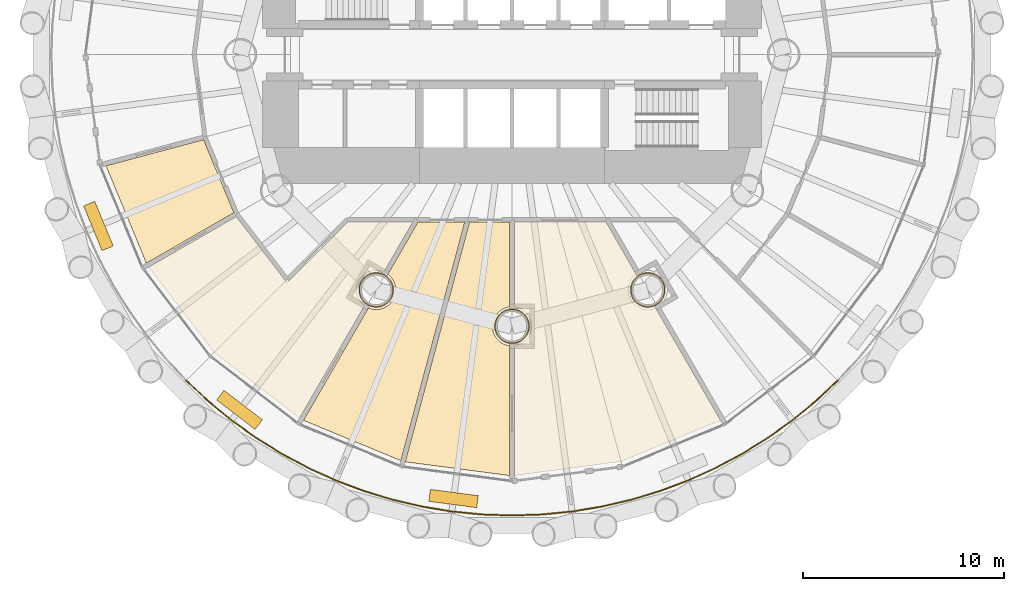
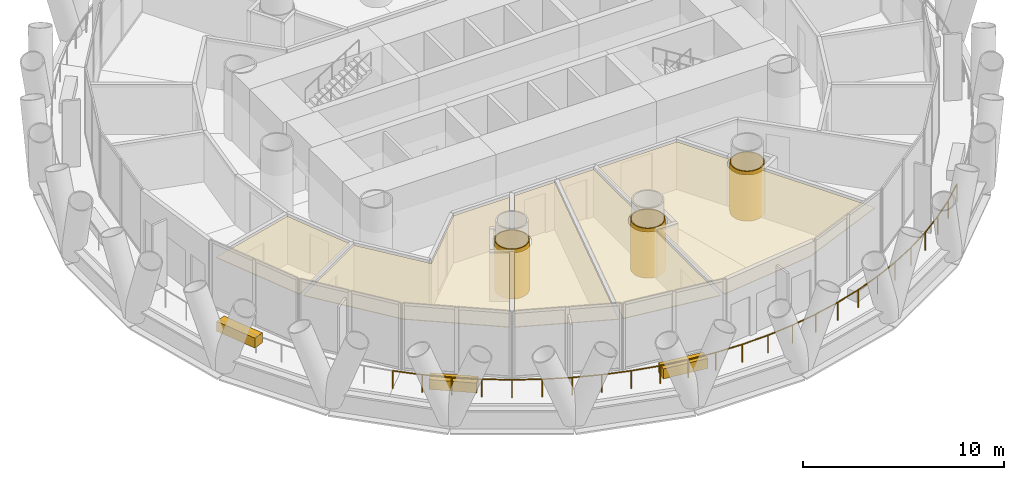
# One storey, part 12 of 15: 11 coverings, 1 railing.
"""IFC4 building model written with IfcOpenShell, lengths in metres."""

import ifcopenshell
import ifcopenshell.guid

model = None  # the IFC model being written
_history = None  # IfcOwnerHistory: only IFC2X3 demands one
_inside = {}  # id of a spatial element -> (the spatial element, [elements in it])
_under = {}  # id of a project, library or spatial element -> (it, [spatial elements below it])
_declared = {}  # id of a project -> (the project, [libraries it declares])
_typed = {}  # id of a type object -> (the type object, [elements of that type])
_made_of = {}  # id of a material, layer set ... -> (it, [elements and type objects made of it])


def new_model(schema):
    """Start an empty IFC model of exactly this schema.

    Asked for "IFC4X3", IfcOpenShell would pick the latest addendum, in which some entities
    have other attributes; the version numbers below select the first issue.
    IFC2X3 requires an IfcOwnerHistory on every rooted entity: one is made here for all.
    """
    global model, _history
    if schema == "IFC4X3":
        model = ifcopenshell.file(schema_version=(4, 3, 0, 0))
    else:
        model = ifcopenshell.file(schema=schema)
    _inside.clear()
    _under.clear()
    _declared.clear()
    _typed.clear()
    _made_of.clear()
    _history = None
    if model.schema == "IFC2X3":
        org = make("IfcOrganization", Name="unknown")
        user = make(
            "IfcPersonAndOrganization",
            ThePerson=make("IfcPerson", FamilyName="unknown"),
            TheOrganization=org,
        )
        app = make(
            "IfcApplication",
            ApplicationDeveloper=org,
            Version="unknown",
            ApplicationFullName="unknown",
            ApplicationIdentifier="unknown",
        )
        _history = make(
            "IfcOwnerHistory",
            OwningUser=user,
            OwningApplication=app,
            ChangeAction="ADDED",
            CreationDate=0,
        )
    return model


def make(cls, **values):
    """One entity of the class cls with the attributes given. An attribute that is None is left unset."""
    return model.create_entity(
        cls, **{name: value for name, value in values.items() if value is not None}
    )


def rooted(cls, **values):
    """An entity with a GlobalId (a new one), such as an element, a storey or a relation."""
    return make(cls, GlobalId=ifcopenshell.guid.new(), OwnerHistory=_history, **values)


def si_unit(unit_type, name, prefix=None):
    """IfcSIUnit, for example si_unit("LENGTHUNIT", "METRE", prefix="MILLI")."""
    return make("IfcSIUnit", UnitType=unit_type, Prefix=prefix, Name=name)


def assignment(units):
    """IfcUnitAssignment: the units of a project."""
    return None if units is None else make("IfcUnitAssignment", Units=units)


def point(xyz):
    """IfcCartesianPoint."""
    return None if xyz is None else make("IfcCartesianPoint", Coordinates=xyz)


def direction(xyz):
    """IfcDirection."""
    return None if xyz is None else make("IfcDirection", DirectionRatios=xyz)


def frame(location, z_axis=None, x_axis=None):
    """IfcAxis2Placement3D, a coordinate frame: its origin and axes. An axis left out is left unset."""
    return make(
        "IfcAxis2Placement3D",
        Location=point(location),
        Axis=direction(z_axis),
        RefDirection=direction(x_axis),
    )


def frame_2d(location, x_axis=None):
    """IfcAxis2Placement2D, a coordinate frame in the plane: its origin and x axis."""
    return make(
        "IfcAxis2Placement2D", Location=point(location), RefDirection=direction(x_axis)
    )


def origin():
    """The frame at (0, 0, 0) with its axes left unset."""
    return frame((0.0, 0.0, 0.0))


def origin_2d():
    """The frame at (0, 0) in the plane with its x axis left unset."""
    return frame_2d((0.0, 0.0))


def place(relative_to, where):
    """IfcLocalPlacement: puts the frame where relative to a parent placement (None: the world)."""
    return make(
        "IfcLocalPlacement", PlacementRelTo=relative_to, RelativePlacement=where
    )


def context(
    kind, dimensions, precision=None, world=None, true_north=None, identifier=None
):
    """IfcGeometricRepresentationContext, for example the 3D "Model" context."""
    return make(
        "IfcGeometricRepresentationContext",
        ContextIdentifier=identifier,
        ContextType=kind,
        CoordinateSpaceDimension=dimensions,
        Precision=precision,
        WorldCoordinateSystem=world,
        TrueNorth=true_north,
    )


def subcontext(parent, identifier, kind, view, scale=None):
    """IfcGeometricRepresentationSubContext, for example "Body" below "Model"."""
    return make(
        "IfcGeometricRepresentationSubContext",
        ContextIdentifier=identifier,
        ContextType=kind,
        ParentContext=parent,
        TargetScale=scale,
        TargetView=view,
    )


def project(units=None, contexts=None):
    """IfcProject with its units and contexts."""
    return rooted(
        "IfcProject",
        Name="project",
        RepresentationContexts=contexts,
        UnitsInContext=assignment(units),
    )


def spatial(cls, under=None, at=None, **own):
    """A site, building, storey or space (cls), placed at a placement, below another one or the project."""
    s = rooted(cls, ObjectPlacement=at, **own)
    if under is not None:
        _under.setdefault(under.id(), (under, []))[1].append(s)
    return s


def polyline(points):
    """IfcPolyline through the points."""
    return make("IfcPolyline", Points=[point(p) for p in points])


def profile(cls, at=None, kind="AREA", **sizes):
    """A parametric profile (cls). Its sizes go by their IFC names, for example OverallWidth=200.0."""
    return make(cls, ProfileType=kind, Position=at, **sizes)


def rectangle(**sizes):
    """IfcRectangleProfileDef."""
    return profile("IfcRectangleProfileDef", **sizes)


def circle(**sizes):
    """IfcCircleProfileDef."""
    return profile("IfcCircleProfileDef", **sizes)


def outline(outer, holes=None, kind="AREA"):
    """IfcArbitraryClosedProfileDef: a profile drawn as a closed curve; with holes, ...WithVoids."""
    if holes is None:
        return make("IfcArbitraryClosedProfileDef", ProfileType=kind, OuterCurve=outer)
    return make(
        "IfcArbitraryProfileDefWithVoids",
        ProfileType=kind,
        OuterCurve=outer,
        InnerCurves=holes,
    )


def extrude(swept, where, along, depth):
    """IfcExtrudedAreaSolid: the profile swept, set in the frame where, extruded along a direction by depth."""
    return make(
        "IfcExtrudedAreaSolid",
        SweptArea=swept,
        Position=where,
        ExtrudedDirection=direction(along),
        Depth=depth,
    )


def shape(context_of_items, identifier, shape_type, items):
    """IfcShapeRepresentation: the items that make up one representation, for example the "Body"."""
    return make(
        "IfcShapeRepresentation",
        ContextOfItems=context_of_items,
        RepresentationIdentifier=identifier,
        RepresentationType=shape_type,
        Items=items,
    )


def material(Name=None, Category=None):
    """IfcMaterial."""
    return make("IfcMaterial", Name=Name, Category=Category)


def layer(
    of_material, thickness, ventilated=None, Name=None, Category=None, Priority=None
):
    """IfcMaterialLayer: one layer of a wall or slab, of a material (None: an air gap)."""
    return make(
        "IfcMaterialLayer",
        Material=of_material,
        LayerThickness=thickness,
        IsVentilated=ventilated,
        Name=Name,
        Category=Category,
        Priority=Priority,
    )


def layer_set(layers, Name=None):
    """IfcMaterialLayerSet."""
    return make("IfcMaterialLayerSet", MaterialLayers=layers, LayerSetName=Name)


def made_of(thing, what):
    """Note that an element or type object is made of a material, layer set ...; save() writes the relation."""
    if what is not None:
        _made_of.setdefault(what.id(), (what, []))[1].append(thing)
    return thing


def type_object(cls, material=None, **own):
    """A type object (cls), such as IfcWallType, which elements share."""
    return made_of(rooted(cls, **own), material)


def element(
    cls,
    number,
    at=None,
    inside=None,
    cuts=None,
    type_object=None,
    material=None,
    context=None,
    identifier="Body",
    shape_type=None,
    held_by="IfcProductDefinitionShape",
    body=None,
    shapes=None,
    **own,
):
    """One element of the class cls, such as IfcWall. Its Tag is "e" and its number.

    at: its placement. inside: the storey or other place that contains it. cuts: it is an
    opening in that element (IfcRelVoidsElement). A single representation is given by context,
    identifier, shape_type and body (its items); several are given by shapes. held_by: the class
    of the entity that holds the representations. save() writes the other relations.
    """
    e = rooted(cls, Tag="e%d" % number, ObjectPlacement=at, **own)
    if body is not None:
        shapes = [shape(context, identifier, shape_type, body)]
    if shapes is not None:
        e.Representation = make(held_by, Representations=shapes)
    if inside is not None:
        _inside.setdefault(inside.id(), (inside, []))[1].append(e)
    if cuts is not None:
        rooted(
            "IfcRelVoidsElement", RelatingBuildingElement=cuts, RelatedOpeningElement=e
        )
    if type_object is not None:
        _typed.setdefault(type_object.id(), (type_object, []))[1].append(e)
    return made_of(e, material)


def aggregate(whole, parts):
    """IfcRelAggregates: a whole, such as a stair, and the parts it consists of."""
    return rooted("IfcRelAggregates", RelatingObject=whole, RelatedObjects=parts)


def save(model, path):
    """Write the relations noted so far, then the file.

    IfcRelAggregates (storeys below a building ...), IfcRelContainedInSpatialStructure (elements
    in a storey), IfcRelDefinesByType, IfcRelAssociatesMaterial and IfcRelDeclares: one each for
    every whole, place, type object, material and project.
    """
    for whole, parts in _under.values():
        aggregate(whole, parts)
    for where, things in _inside.values():
        rooted(
            "IfcRelContainedInSpatialStructure",
            RelatedElements=things,
            RelatingStructure=where,
        )
    for kind, things in _typed.values():
        rooted("IfcRelDefinesByType", RelatedObjects=things, RelatingType=kind)
    for what, things in _made_of.values():
        rooted("IfcRelAssociatesMaterial", RelatedObjects=things, RelatingMaterial=what)
    for by, libraries in _declared.values():
        rooted("IfcRelDeclares", RelatingContext=by, RelatedDefinitions=libraries)
    model.write(path)


model = new_model("IFC4")

# Units and contexts
model_context = context("Model", 3, precision=1e-05, world=origin(), true_north=direction((0.0, 1.0)))
body_context = subcontext(model_context, "Body", "Model", "MODEL_VIEW")
ifc_project = project(units=[si_unit("LENGTHUNIT", "METRE"), si_unit("AREAUNIT", "SQUARE_METRE"), si_unit("VOLUMEUNIT", "CUBIC_METRE"), si_unit("PLANEANGLEUNIT", "RADIAN"), si_unit("MASSUNIT", "GRAM", prefix="KILO")], contexts=[model_context])

# Site, building, storey
site_placement = place(None, origin())
site = spatial("IfcSite", under=ifc_project, at=site_placement, CompositionType="ELEMENT")
building_placement = place(site_placement, origin())
building = spatial("IfcBuilding", under=site, at=building_placement, Name="Qaws Media Tower", CompositionType="ELEMENT")
storey_placement = place(building_placement, frame((0.0, 0.0, 34.39990234375)))
storey = spatial("IfcBuildingStorey", under=building, at=storey_placement, Name="L06", CompositionType="ELEMENT", Elevation=34.39990234375)

# Coverings
ifc_material_1 = material(Name="40 perforated acoustic panels with mineral wool backing, suspended", Category="mineral fibre")
ifc_layer_1 = layer(ifc_material_1, 0.0400390625)
ifc_layer_set_1 = layer_set([ifc_layer_1], Name="Acoustic panel ceiling 40")
covering_type_1 = type_object("IfcCoveringType", Name="Acoustic panel ceiling 40", PredefinedType="CEILING", material=ifc_layer_set_1)
covering_1_placement = place(storey_placement, frame((0.0, 0.0, 2.85009765625)))
element("IfcCovering", 1, at=covering_1_placement, inside=storey, type_object=covering_type_1, Name="CL3 ceiling L06-06 Control room", PredefinedType="CEILING", context=body_context, shape_type="SweptSolid", body=[
    extrude(outline(polyline([(39.821533203125, 44.476806640625), (44.672119140625, 45.776611328125), (46.175048828125, 42.148193359375), (41.826171875, 39.63720703125), (39.821533203125, 44.476806640625)])), origin(), (0.0, 0.0, 1.0), 0.0400390625),
])
covering_2_placement = place(storey_placement, frame((0.0, 0.0, 2.85009765625)))
element("IfcCovering", 2, at=covering_2_placement, inside=storey, type_object=covering_type_1, Name="CL3 ceiling L06-07 Radio studio", PredefinedType="CEILING", context=body_context, shape_type="SweptSolid", body=[
    extrude(outline(polyline([(48.816650390625, 38.657470703125), (51.8466796875, 41.6875), (55.07080078125, 41.6875), (53.635498046875, 39.201171875), (53.622314453125, 39.20751953125), (53.501708984375, 39.24853515625), (53.376953125, 39.273193359375), (53.25, 39.28173828125), (53.123046875, 39.273193359375), (52.998291015625, 39.24853515625), (52.877685546875, 39.20751953125), (52.763427734375, 39.1513671875), (52.65771484375, 39.08056640625), (52.56201171875, 38.99658203125), (52.47802734375, 38.90087890625), (52.407470703125, 38.795166015625), (52.35107421875, 38.680908203125), (52.310302734375, 38.560546875), (52.285400390625, 38.435791015625), (52.277099609375, 38.30859375), (52.285400390625, 38.181640625), (52.310302734375, 38.056884765625), (52.35107421875, 37.936279296875), (52.407470703125, 37.822265625), (52.47802734375, 37.71630859375), (52.56201171875, 37.62060546875), (52.65771484375, 37.53662109375), (52.669921875, 37.528564453125), (49.4423828125, 31.938720703125), (45.196533203125, 35.196533203125), (41.938720703125, 39.4423828125), (46.28759765625, 41.953125), (48.816650390625, 38.657470703125)])), origin(), (0.0, 0.0, 1.0), 0.0400390625),
])
covering_3_placement = place(storey_placement, frame((0.0, 0.0, 2.85009765625)))
element("IfcCovering", 3, at=covering_3_placement, inside=storey, type_object=covering_type_1, Name="CL3 ceiling L06-08 Control room", PredefinedType="CEILING", context=body_context, shape_type="SweptSolid", body=[
    extrude(outline(polyline([(49.63720703125, 31.826171875), (52.864501953125, 37.416015625), (52.877685546875, 37.40966796875), (52.998291015625, 37.368896484375), (53.123046875, 37.343994140625), (53.25, 37.335693359375), (53.376953125, 37.343994140625), (53.501708984375, 37.368896484375), (53.622314453125, 37.40966796875), (53.736572265625, 37.466064453125), (53.84228515625, 37.53662109375), (53.93798828125, 37.62060546875), (54.02197265625, 37.71630859375), (54.092529296875, 37.822265625), (54.14892578125, 37.936279296875), (54.189697265625, 38.056884765625), (54.214599609375, 38.181640625), (54.222900390625, 38.30859375), (54.214599609375, 38.435791015625), (54.189697265625, 38.560546875), (54.14892578125, 38.680908203125), (54.092529296875, 38.795166015625), (54.02197265625, 38.90087890625), (53.93798828125, 38.99658203125), (53.84228515625, 39.08056640625), (53.830322265625, 39.088623046875), (55.330810546875, 41.6875), (57.65625, 41.6875), (54.476806640625, 29.821533203125), (49.63720703125, 31.826171875)])), origin(), (0.0, 0.0, 1.0), 0.0400390625),
])
covering_4_placement = place(storey_placement, frame((0.0, 0.0, 2.85009765625)))
element("IfcCovering", 4, at=covering_4_placement, inside=storey, type_object=covering_type_1, Name="CL3 ceiling L06-09 Control room", PredefinedType="CEILING", context=body_context, shape_type="SweptSolid", body=[
    extrude(outline(polyline([(54.694091796875, 29.76318359375), (57.88916015625, 41.6875), (59.887451171875, 41.6875), (59.887451171875, 37.465576171875), (59.873046875, 37.464599609375), (59.748291015625, 37.439697265625), (59.627685546875, 37.39892578125), (59.513427734375, 37.342529296875), (59.40771484375, 37.27197265625), (59.31201171875, 37.18798828125), (59.22802734375, 37.09228515625), (59.157470703125, 36.986572265625), (59.10107421875, 36.872314453125), (59.060302734375, 36.751708984375), (59.035400390625, 36.626953125), (59.027099609375, 36.5), (59.035400390625, 36.373046875), (59.060302734375, 36.248291015625), (59.10107421875, 36.127685546875), (59.157470703125, 36.013427734375), (59.22802734375, 35.90771484375), (59.31201171875, 35.81201171875), (59.40771484375, 35.72802734375), (59.513427734375, 35.657470703125), (59.627685546875, 35.60107421875), (59.748291015625, 35.560302734375), (59.873046875, 35.535400390625), (59.887451171875, 35.534423828125), (59.887451171875, 29.07958984375), (54.694091796875, 29.76318359375)])), origin(), (0.0, 0.0, 1.0), 0.0400390625),
])
covering_5_placement = place(storey_placement, frame((0.0, 0.0, 2.85009765625)))
element("IfcCovering", 5, at=covering_5_placement, inside=storey, type_object=covering_type_1, Name="CL3 ceiling L06-10 Radio studio", PredefinedType="CEILING", context=body_context, shape_type="SweptSolid", body=[
    extrude(outline(polyline([(65.41845703125, 29.778076171875), (60.112548828125, 29.07958984375), (60.112548828125, 35.534423828125), (60.126953125, 35.535400390625), (60.251708984375, 35.560302734375), (60.372314453125, 35.60107421875), (60.486572265625, 35.657470703125), (60.59228515625, 35.72802734375), (60.68798828125, 35.81201171875), (60.77197265625, 35.90771484375), (60.842529296875, 36.013427734375), (60.89892578125, 36.127685546875), (60.939697265625, 36.248291015625), (60.964599609375, 36.373046875), (60.972900390625, 36.5), (60.964599609375, 36.626953125), (60.939697265625, 36.751708984375), (60.89892578125, 36.872314453125), (60.842529296875, 36.986572265625), (60.77197265625, 37.09228515625), (60.68798828125, 37.18798828125), (60.59228515625, 37.27197265625), (60.486572265625, 37.342529296875), (60.372314453125, 37.39892578125), (60.251708984375, 37.439697265625), (60.126953125, 37.464599609375), (60.112548828125, 37.465576171875), (60.112548828125, 41.6875), (64.669189453125, 41.6875), (66.169677734375, 39.088623046875), (66.15771484375, 39.08056640625), (66.06201171875, 38.99658203125), (65.97802734375, 38.90087890625), (65.907470703125, 38.795166015625), (65.85107421875, 38.680908203125), (65.810302734375, 38.560546875), (65.785400390625, 38.435791015625), (65.777099609375, 38.30859375), (65.785400390625, 38.181640625), (65.810302734375, 38.056884765625), (65.85107421875, 37.936279296875), (65.907470703125, 37.822265625), (65.97802734375, 37.71630859375), (66.06201171875, 37.62060546875), (66.15771484375, 37.53662109375), (66.263427734375, 37.466064453125), (66.377685546875, 37.40966796875), (66.498291015625, 37.368896484375), (66.623046875, 37.343994140625), (66.75, 37.335693359375), (66.876953125, 37.343994140625), (67.001708984375, 37.368896484375), (67.122314453125, 37.40966796875), (67.135498046875, 37.416015625), (70.36279296875, 31.826171875), (65.41845703125, 29.778076171875)])), origin(), (0.0, 0.0, 1.0), 0.0400390625),
])

# Railing
ifc_material_2 = material(Name="Stainless steel and glass guard", Category="steel")
railing_type = type_object("IfcRailingType", Name="Balcony guard 1100", PredefinedType="GUARDRAIL", material=ifc_material_2)
railing_placement = place(storey_placement, frame((43.807373046875, 33.807373046875, 0.0)))
element("IfcRailing", 6, at=railing_placement, inside=storey, type_object=railing_type, Name="GR1 balcony guard L06-3", PredefinedType="GUARDRAIL", context=body_context, shape_type="SweptSolid", body=[
    extrude(circle(Radius=0.02392578125, at=origin_2d()), frame((0.0, 0.0, 1.076171875), z_axis=(0.729786131412, -0.683675509579, 0.0), x_axis=(0.683675509579, 0.729786131412, 0.0)), (0.0, 0.0, 1.0), 1.498291015625),
    extrude(circle(Radius=0.02392578125, at=origin_2d()), frame((1.093505859375, -1.0244140625, 1.076171875), z_axis=(0.773020109112, -0.634381518416, 0.0), x_axis=(0.634381518416, 0.773020109112, 0.0)), (0.0, 0.0, 1.0), 1.49853515625),
    extrude(circle(Radius=0.02392578125, at=origin_2d()), frame((2.251953125, -1.97509765625, 1.076171875), z_axis=(0.812774700378, -0.582578137613, 0.0), x_axis=(0.582578137613, 0.812774700378, 0.0)), (0.0, 0.0, 1.0), 1.49853515625),
    extrude(circle(Radius=0.02392578125, at=origin_2d()), frame((3.469970703125, -2.84814453125, 1.076171875), z_axis=(0.84924978873, -0.527991284342, 0.0), x_axis=(0.527991284342, 0.84924978873, 0.0)), (0.0, 0.0, 1.0), 1.49853515625),
    extrude(circle(Radius=0.02392578125, at=origin_2d()), frame((4.74267578125, -3.639404296875, 1.076171875), z_axis=(0.881942178876, -0.471357606408, 0.0), x_axis=(0.471357606408, 0.881942178876, 0.0)), (0.0, 0.0, 1.0), 1.49853515625),
    extrude(circle(Radius=0.02392578125, at=origin_2d()), frame((6.064208984375, -4.345703125, 1.076171875), z_axis=(0.910879082902, -0.412673353066, 0.0), x_axis=(0.412673353066, 0.910879082902, 0.0)), (0.0, 0.0, 1.0), 1.49853515625),
    extrude(circle(Radius=0.02392578125, at=origin_2d()), frame((7.42919921875, -4.964111328125, 1.076171875), z_axis=(0.935846213022, -0.352408662738, 0.0), x_axis=(0.352408662738, 0.935846213022, 0.0)), (0.0, 0.0, 1.0), 1.49853515625),
    extrude(circle(Radius=0.02392578125, at=origin_2d()), frame((8.83154296875, -5.4921875, 1.076171875), z_axis=(0.956979175917, -0.290156607475, 0.0), x_axis=(0.290156607475, 0.956979175917, 0.0)), (0.0, 0.0, 1.0), 1.49853515625),
    extrude(circle(Radius=0.02392578125, at=origin_2d()), frame((10.265625, -5.927001953125, 1.076171875), z_axis=(0.973872443437, -0.227095715315, 0.0), x_axis=(0.227095715315, 0.973872443437, 0.0)), (0.0, 0.0, 1.0), 1.49853515625),
    extrude(circle(Radius=0.02392578125, at=origin_2d()), frame((11.72509765625, -6.267333984375, 1.076171875), z_axis=(0.98663939489, -0.162919318839, 0.0), x_axis=(0.162919318839, 0.98663939489, 0.0)), (0.0, 0.0, 1.0), 1.49853515625),
    extrude(circle(Radius=0.02392578125, at=origin_2d()), frame((13.20361328125, -6.511474609375, 1.076171875), z_axis=(0.995178136619, -0.098084027218, 0.0), x_axis=(0.098084027218, 0.995178136619, 0.0)), (0.0, 0.0, 1.0), 1.49853515625),
    extrude(circle(Radius=0.02392578125, at=origin_2d()), frame((14.69482421875, -6.658447265625, 1.076171875), z_axis=(0.999469048478, -0.032582528068, 0.0), x_axis=(0.032582528068, 0.999469048478, 0.0)), (0.0, 0.0, 1.0), 1.49853515625),
    extrude(circle(Radius=0.02392578125, at=origin_2d()), frame((16.192626953125, -6.707275390625, 1.076171875), z_axis=(0.999469048478, 0.032582528068, 0.0), x_axis=(-0.032582528068, 0.999469048478, 0.0)), (0.0, 0.0, 1.0), 1.49853515625),
    extrude(circle(Radius=0.02392578125, at=origin_2d()), frame((17.6904296875, -6.658447265625, 1.076171875), z_axis=(0.995178136619, 0.098084027218, 0.0), x_axis=(-0.098084027218, 0.995178136619, 0.0)), (0.0, 0.0, 1.0), 1.49853515625),
    extrude(circle(Radius=0.02392578125, at=origin_2d()), frame((19.181640625, -6.511474609375, 1.076171875), z_axis=(0.98663939489, 0.162919318839, 0.0), x_axis=(-0.162919318839, 0.98663939489, 0.0)), (0.0, 0.0, 1.0), 1.49853515625),
    extrude(circle(Radius=0.02392578125, at=origin_2d()), frame((20.66015625, -6.267333984375, 1.076171875), z_axis=(0.973872443437, 0.227095715315, 0.0), x_axis=(-0.227095715315, 0.973872443437, 0.0)), (0.0, 0.0, 1.0), 1.49853515625),
    extrude(circle(Radius=0.02392578125, at=origin_2d()), frame((22.11962890625, -5.927001953125, 1.076171875), z_axis=(0.956979175917, 0.290156607475, 0.0), x_axis=(-0.290156607475, 0.956979175917, 0.0)), (0.0, 0.0, 1.0), 1.49853515625),
    extrude(circle(Radius=0.02392578125, at=origin_2d()), frame((23.5537109375, -5.4921875, 1.076171875), z_axis=(0.935846213022, 0.352408662738, 0.0), x_axis=(-0.352408662738, 0.935846213022, 0.0)), (0.0, 0.0, 1.0), 1.49853515625),
    extrude(circle(Radius=0.02392578125, at=origin_2d()), frame((24.9560546875, -4.964111328125, 1.076171875), z_axis=(0.910879082902, 0.412673353066, 0.0), x_axis=(-0.412673353066, 0.910879082902, 0.0)), (0.0, 0.0, 1.0), 1.49853515625),
    extrude(circle(Radius=0.02392578125, at=origin_2d()), frame((26.321044921875, -4.345703125, 1.076171875), z_axis=(0.881942178876, 0.471357606408, 0.0), x_axis=(-0.471357606408, 0.881942178876, 0.0)), (0.0, 0.0, 1.0), 1.49853515625),
    extrude(circle(Radius=0.02392578125, at=origin_2d()), frame((27.642578125, -3.639404296875, 1.076171875), z_axis=(0.84924978873, 0.527991284342, 0.0), x_axis=(-0.527991284342, 0.84924978873, 0.0)), (0.0, 0.0, 1.0), 1.49853515625),
    extrude(circle(Radius=0.02392578125, at=origin_2d()), frame((28.915283203125, -2.84814453125, 1.076171875), z_axis=(0.812774700378, 0.582578137613, 0.0), x_axis=(-0.582578137613, 0.812774700378, 0.0)), (0.0, 0.0, 1.0), 1.49853515625),
    extrude(circle(Radius=0.02392578125, at=origin_2d()), frame((30.13330078125, -1.97509765625, 1.076171875), z_axis=(0.773020109112, 0.634381518416, 0.0), x_axis=(-0.634381518416, 0.773020109112, 0.0)), (0.0, 0.0, 1.0), 1.49853515625),
    extrude(circle(Radius=0.02392578125, at=origin_2d()), frame((31.291748046875, -1.0244140625, 1.076171875), z_axis=(0.729786131412, 0.683675509579, 0.0), x_axis=(-0.683675509579, 0.729786131412, 0.0)), (0.0, 0.0, 1.0), 1.498291015625),
    extrude(circle(Radius=0.02099609375, at=origin_2d()), origin(), (0.0, 0.0, 1.0), 1.052001953125),
    extrude(circle(Radius=0.02099609375, at=origin_2d()), frame((1.093505859375, -1.0244140625, 0.0)), (0.0, 0.0, 1.0), 1.052001953125),
    extrude(circle(Radius=0.02099609375, at=origin_2d()), frame((2.251953125, -1.97509765625, 0.0)), (0.0, 0.0, 1.0), 1.052001953125),
    extrude(circle(Radius=0.02099609375, at=origin_2d()), frame((3.469970703125, -2.84814453125, 0.0)), (0.0, 0.0, 1.0), 1.052001953125),
    extrude(circle(Radius=0.02099609375, at=origin_2d()), frame((4.74267578125, -3.639404296875, 0.0)), (0.0, 0.0, 1.0), 1.052001953125),
    extrude(circle(Radius=0.02099609375, at=origin_2d()), frame((6.064208984375, -4.345703125, 0.0)), (0.0, 0.0, 1.0), 1.052001953125),
    extrude(circle(Radius=0.02099609375, at=origin_2d()), frame((7.42919921875, -4.964111328125, 0.0)), (0.0, 0.0, 1.0), 1.052001953125),
    extrude(circle(Radius=0.02099609375, at=origin_2d()), frame((8.83154296875, -5.4921875, 0.0)), (0.0, 0.0, 1.0), 1.052001953125),
    extrude(circle(Radius=0.02099609375, at=origin_2d()), frame((10.265625, -5.927001953125, 0.0)), (0.0, 0.0, 1.0), 1.052001953125),
    extrude(circle(Radius=0.02099609375, at=origin_2d()), frame((11.72509765625, -6.267333984375, 0.0)), (0.0, 0.0, 1.0), 1.052001953125),
    extrude(circle(Radius=0.02099609375, at=origin_2d()), frame((13.20361328125, -6.511474609375, 0.0)), (0.0, 0.0, 1.0), 1.052001953125),
    extrude(circle(Radius=0.02099609375, at=origin_2d()), frame((14.69482421875, -6.658447265625, 0.0)), (0.0, 0.0, 1.0), 1.052001953125),
    extrude(circle(Radius=0.02099609375, at=origin_2d()), frame((16.192626953125, -6.707275390625, 0.0)), (0.0, 0.0, 1.0), 1.052001953125),
    extrude(circle(Radius=0.02099609375, at=origin_2d()), frame((17.6904296875, -6.658447265625, 0.0)), (0.0, 0.0, 1.0), 1.052001953125),
    extrude(circle(Radius=0.02099609375, at=origin_2d()), frame((19.181640625, -6.511474609375, 0.0)), (0.0, 0.0, 1.0), 1.052001953125),
    extrude(circle(Radius=0.02099609375, at=origin_2d()), frame((20.66015625, -6.267333984375, 0.0)), (0.0, 0.0, 1.0), 1.052001953125),
    extrude(circle(Radius=0.02099609375, at=origin_2d()), frame((22.11962890625, -5.927001953125, 0.0)), (0.0, 0.0, 1.0), 1.052001953125),
    extrude(circle(Radius=0.02099609375, at=origin_2d()), frame((23.5537109375, -5.4921875, 0.0)), (0.0, 0.0, 1.0), 1.052001953125),
    extrude(circle(Radius=0.02099609375, at=origin_2d()), frame((24.9560546875, -4.964111328125, 0.0)), (0.0, 0.0, 1.0), 1.052001953125),
    extrude(circle(Radius=0.02099609375, at=origin_2d()), frame((26.321044921875, -4.345703125, 0.0)), (0.0, 0.0, 1.0), 1.052001953125),
    extrude(circle(Radius=0.02099609375, at=origin_2d()), frame((27.642578125, -3.639404296875, 0.0)), (0.0, 0.0, 1.0), 1.052001953125),
    extrude(circle(Radius=0.02099609375, at=origin_2d()), frame((28.915283203125, -2.84814453125, 0.0)), (0.0, 0.0, 1.0), 1.052001953125),
    extrude(circle(Radius=0.02099609375, at=origin_2d()), frame((30.13330078125, -1.97509765625, 0.0)), (0.0, 0.0, 1.0), 1.052001953125),
    extrude(circle(Radius=0.02099609375, at=origin_2d()), frame((31.291748046875, -1.0244140625, 0.0)), (0.0, 0.0, 1.0), 1.052001953125),
    extrude(circle(Radius=0.02099609375, at=origin_2d()), frame((32.38525390625, 0.0, 0.0)), (0.0, 0.0, 1.0), 1.052001953125),
])

# Coverings
ifc_material_3 = material(Name="Two layers 15 fire-rated gypsum board on steel framing", Category="steel")
ifc_layer_2 = layer(ifc_material_3, 0.050048828125)
ifc_layer_set_2 = layer_set([ifc_layer_2], Name="Column fire casing")
covering_type_2 = type_object("IfcCoveringType", Name="Column fire casing", PredefinedType="CLADDING", material=ifc_layer_set_2)
covering_6_placement = place(storey_placement, origin())
element("IfcCovering", 7, at=covering_6_placement, inside=storey, type_object=covering_type_2, Name="CC1 column casing L06", PredefinedType="CLADDING", context=body_context, shape_type="SweptSolid", body=[
    extrude(outline(polyline([(54.117919921875, 38.30859375), (54.110595703125, 38.1953125), (54.08837890625, 38.083984375), (54.052001953125, 37.9765625), (54.001708984375, 37.874755859375), (53.938720703125, 37.7802734375), (53.86376953125, 37.69482421875), (53.7783203125, 37.6201171875), (53.68408203125, 37.556884765625), (53.582275390625, 37.506591796875), (53.474609375, 37.47021484375), (53.36328125, 37.447998046875), (53.25, 37.440673828125), (53.13671875, 37.447998046875), (53.025390625, 37.47021484375), (52.917724609375, 37.506591796875), (52.81591796875, 37.556884765625), (52.7216796875, 37.6201171875), (52.63623046875, 37.69482421875), (52.561279296875, 37.7802734375), (52.498291015625, 37.874755859375), (52.447998046875, 37.9765625), (52.41162109375, 38.083984375), (52.389404296875, 38.1953125), (52.382080078125, 38.30859375), (52.389404296875, 38.422119140625), (52.41162109375, 38.533203125), (52.447998046875, 38.640869140625), (52.498291015625, 38.74267578125), (52.561279296875, 38.837158203125), (52.63623046875, 38.92236328125), (52.7216796875, 38.997314453125), (52.81591796875, 39.060302734375), (52.917724609375, 39.110595703125), (53.025390625, 39.147216796875), (53.13671875, 39.169189453125), (53.25, 39.1767578125), (53.36328125, 39.169189453125), (53.474609375, 39.147216796875), (53.582275390625, 39.110595703125), (53.68408203125, 39.060302734375), (53.7783203125, 38.997314453125), (53.86376953125, 38.92236328125), (53.938720703125, 38.837158203125), (54.001708984375, 38.74267578125), (54.052001953125, 38.640869140625), (54.08837890625, 38.533203125), (54.110595703125, 38.422119140625), (54.117919921875, 38.30859375)]), holes=[polyline([(54.06591796875, 38.30859375), (54.05908203125, 38.2021484375), (54.0380859375, 38.097412109375), (54.00390625, 37.996337890625), (53.956787109375, 37.900634765625), (53.8974609375, 37.81201171875), (53.826904296875, 37.731689453125), (53.74658203125, 37.661376953125), (53.657958984375, 37.60205078125), (53.562255859375, 37.5546875), (53.461181640625, 37.5205078125), (53.3564453125, 37.49951171875), (53.25, 37.49267578125), (53.1435546875, 37.49951171875), (53.038818359375, 37.5205078125), (52.937744140625, 37.5546875), (52.842041015625, 37.60205078125), (52.75341796875, 37.661376953125), (52.673095703125, 37.731689453125), (52.6025390625, 37.81201171875), (52.543212890625, 37.900634765625), (52.49609375, 37.996337890625), (52.4619140625, 38.097412109375), (52.44091796875, 38.2021484375), (52.43408203125, 38.30859375), (52.44091796875, 38.415283203125), (52.4619140625, 38.52001953125), (52.49609375, 38.620849609375), (52.543212890625, 38.716796875), (52.6025390625, 38.805419921875), (52.673095703125, 38.8857421875), (52.75341796875, 38.9560546875), (52.842041015625, 39.015380859375), (52.937744140625, 39.0625), (53.038818359375, 39.096923828125), (53.1435546875, 39.11767578125), (53.25, 39.124755859375), (53.3564453125, 39.11767578125), (53.461181640625, 39.096923828125), (53.562255859375, 39.0625), (53.657958984375, 39.015380859375), (53.74658203125, 38.9560546875), (53.826904296875, 38.8857421875), (53.8974609375, 38.805419921875), (53.956787109375, 38.716796875), (54.00390625, 38.620849609375), (54.0380859375, 38.52001953125), (54.05908203125, 38.415283203125), (54.06591796875, 38.30859375)])]), origin(), (0.0, 0.0, 1.0), 3.02001953125),
])
covering_7_placement = place(storey_placement, origin())
element("IfcCovering", 8, at=covering_7_placement, inside=storey, type_object=covering_type_2, Name="CC1 column casing L06", PredefinedType="CLADDING", context=body_context, shape_type="SweptSolid", body=[
    extrude(outline(polyline([(60.867919921875, 36.5), (60.860595703125, 36.38671875), (60.83837890625, 36.275390625), (60.802001953125, 36.167724609375), (60.751708984375, 36.06591796875), (60.688720703125, 35.9716796875), (60.61376953125, 35.88623046875), (60.5283203125, 35.811279296875), (60.43408203125, 35.748291015625), (60.332275390625, 35.697998046875), (60.224609375, 35.66162109375), (60.11328125, 35.639404296875), (60.0, 35.632080078125), (59.88671875, 35.639404296875), (59.775390625, 35.66162109375), (59.667724609375, 35.697998046875), (59.56591796875, 35.748291015625), (59.4716796875, 35.811279296875), (59.38623046875, 35.88623046875), (59.311279296875, 35.9716796875), (59.248291015625, 36.06591796875), (59.197998046875, 36.167724609375), (59.16162109375, 36.275390625), (59.139404296875, 36.38671875), (59.132080078125, 36.5), (59.139404296875, 36.61328125), (59.16162109375, 36.724609375), (59.197998046875, 36.832275390625), (59.248291015625, 36.93408203125), (59.311279296875, 37.0283203125), (59.38623046875, 37.11376953125), (59.4716796875, 37.188720703125), (59.56591796875, 37.251708984375), (59.667724609375, 37.302001953125), (59.775390625, 37.33837890625), (59.88671875, 37.360595703125), (60.0, 37.367919921875), (60.11328125, 37.360595703125), (60.224609375, 37.33837890625), (60.332275390625, 37.302001953125), (60.43408203125, 37.251708984375), (60.5283203125, 37.188720703125), (60.61376953125, 37.11376953125), (60.688720703125, 37.0283203125), (60.751708984375, 36.93408203125), (60.802001953125, 36.832275390625), (60.83837890625, 36.724609375), (60.860595703125, 36.61328125), (60.867919921875, 36.5)]), holes=[polyline([(60.81591796875, 36.5), (60.80908203125, 36.3935546875), (60.7880859375, 36.288818359375), (60.75390625, 36.187744140625), (60.706787109375, 36.092041015625), (60.6474609375, 36.00341796875), (60.576904296875, 35.923095703125), (60.49658203125, 35.8525390625), (60.407958984375, 35.793212890625), (60.312255859375, 35.74609375), (60.211181640625, 35.7119140625), (60.1064453125, 35.69091796875), (60.0, 35.68408203125), (59.8935546875, 35.69091796875), (59.788818359375, 35.7119140625), (59.687744140625, 35.74609375), (59.592041015625, 35.793212890625), (59.50341796875, 35.8525390625), (59.423095703125, 35.923095703125), (59.3525390625, 36.00341796875), (59.293212890625, 36.092041015625), (59.24609375, 36.187744140625), (59.2119140625, 36.288818359375), (59.19091796875, 36.3935546875), (59.18408203125, 36.5), (59.19091796875, 36.6064453125), (59.2119140625, 36.711181640625), (59.24609375, 36.812255859375), (59.293212890625, 36.907958984375), (59.3525390625, 36.99658203125), (59.423095703125, 37.076904296875), (59.50341796875, 37.1474609375), (59.592041015625, 37.206787109375), (59.687744140625, 37.25390625), (59.788818359375, 37.2880859375), (59.8935546875, 37.30908203125), (60.0, 37.31591796875), (60.1064453125, 37.30908203125), (60.211181640625, 37.2880859375), (60.312255859375, 37.25390625), (60.407958984375, 37.206787109375), (60.49658203125, 37.1474609375), (60.576904296875, 37.076904296875), (60.6474609375, 36.99658203125), (60.706787109375, 36.907958984375), (60.75390625, 36.812255859375), (60.7880859375, 36.711181640625), (60.80908203125, 36.6064453125), (60.81591796875, 36.5)])]), origin(), (0.0, 0.0, 1.0), 3.02001953125),
])
covering_8_placement = place(storey_placement, origin())
element("IfcCovering", 9, at=covering_8_placement, inside=storey, type_object=covering_type_2, Name="CC1 column casing L06", PredefinedType="CLADDING", context=body_context, shape_type="SweptSolid", body=[
    extrude(outline(polyline([(67.617919921875, 38.30859375), (67.610595703125, 38.1953125), (67.58837890625, 38.083984375), (67.552001953125, 37.9765625), (67.501708984375, 37.874755859375), (67.438720703125, 37.7802734375), (67.36376953125, 37.69482421875), (67.2783203125, 37.6201171875), (67.18408203125, 37.556884765625), (67.082275390625, 37.506591796875), (66.974609375, 37.47021484375), (66.86328125, 37.447998046875), (66.75, 37.440673828125), (66.63671875, 37.447998046875), (66.525390625, 37.47021484375), (66.417724609375, 37.506591796875), (66.31591796875, 37.556884765625), (66.2216796875, 37.6201171875), (66.13623046875, 37.69482421875), (66.061279296875, 37.7802734375), (65.998291015625, 37.874755859375), (65.947998046875, 37.9765625), (65.91162109375, 38.083984375), (65.889404296875, 38.1953125), (65.882080078125, 38.30859375), (65.889404296875, 38.422119140625), (65.91162109375, 38.533203125), (65.947998046875, 38.640869140625), (65.998291015625, 38.74267578125), (66.061279296875, 38.837158203125), (66.13623046875, 38.92236328125), (66.2216796875, 38.997314453125), (66.31591796875, 39.060302734375), (66.417724609375, 39.110595703125), (66.525390625, 39.147216796875), (66.63671875, 39.169189453125), (66.75, 39.1767578125), (66.86328125, 39.169189453125), (66.974609375, 39.147216796875), (67.082275390625, 39.110595703125), (67.18408203125, 39.060302734375), (67.2783203125, 38.997314453125), (67.36376953125, 38.92236328125), (67.438720703125, 38.837158203125), (67.501708984375, 38.74267578125), (67.552001953125, 38.640869140625), (67.58837890625, 38.533203125), (67.610595703125, 38.422119140625), (67.617919921875, 38.30859375)]), holes=[polyline([(67.56591796875, 38.30859375), (67.55908203125, 38.2021484375), (67.5380859375, 38.097412109375), (67.50390625, 37.996337890625), (67.456787109375, 37.900634765625), (67.3974609375, 37.81201171875), (67.326904296875, 37.731689453125), (67.24658203125, 37.661376953125), (67.157958984375, 37.60205078125), (67.062255859375, 37.5546875), (66.961181640625, 37.5205078125), (66.8564453125, 37.49951171875), (66.75, 37.49267578125), (66.6435546875, 37.49951171875), (66.538818359375, 37.5205078125), (66.437744140625, 37.5546875), (66.342041015625, 37.60205078125), (66.25341796875, 37.661376953125), (66.173095703125, 37.731689453125), (66.1025390625, 37.81201171875), (66.043212890625, 37.900634765625), (65.99609375, 37.996337890625), (65.9619140625, 38.097412109375), (65.94091796875, 38.2021484375), (65.93408203125, 38.30859375), (65.94091796875, 38.415283203125), (65.9619140625, 38.52001953125), (65.99609375, 38.620849609375), (66.043212890625, 38.716796875), (66.1025390625, 38.805419921875), (66.173095703125, 38.8857421875), (66.25341796875, 38.9560546875), (66.342041015625, 39.015380859375), (66.437744140625, 39.0625), (66.538818359375, 39.096923828125), (66.6435546875, 39.11767578125), (66.75, 39.124755859375), (66.8564453125, 39.11767578125), (66.961181640625, 39.096923828125), (67.062255859375, 39.0625), (67.157958984375, 39.015380859375), (67.24658203125, 38.9560546875), (67.326904296875, 38.8857421875), (67.3974609375, 38.805419921875), (67.456787109375, 38.716796875), (67.50390625, 38.620849609375), (67.5380859375, 38.52001953125), (67.55908203125, 38.415283203125), (67.56591796875, 38.30859375)])]), origin(), (0.0, 0.0, 1.0), 3.02001953125),
])
ifc_material_4 = material(Name="Precast concrete planter with trailing planting", Category="concrete")
ifc_layer_3 = layer(ifc_material_4, 0.60009765625)
ifc_layer_set_3 = layer_set([ifc_layer_3], Name="Planter 2400x600")
covering_type_3 = type_object("IfcCoveringType", Name="Planter 2400x600", PredefinedType="USERDEFINED", material=ifc_layer_set_3)
for number, where, z_axis, x_axis, name in (
    (10, (39.443603515625, 41.4853515625, 0.0), (0.0, 0.0, 1.0), (0.382683432365, -0.923879532511, 0.0), "PL1 balcony planter L06-07"),
    (11, (46.455078125, 32.347900390625, 0.0), (0.0, 0.0, 1.0), (0.793353340291, -0.608761429009, 0.0), "PL1 balcony planter L06-08"),
    (12, (57.095703125, 27.9404296875, 0.0), (0.0, 0.0, 1.0), (0.991444861374, -0.13052619222, 0.0), "PL1 balcony planter L06-09"),
):
    element("IfcCovering", number, at=place(storey_placement, frame(where, z_axis=z_axis, x_axis=x_axis)), inside=storey, type_object=covering_type_3, Name=name, ObjectType="PLANTER", PredefinedType="USERDEFINED", context=body_context, shape_type="SweptSolid", body=[
        extrude(rectangle(XDim=2.39990234375, YDim=0.60009765625, at=origin_2d()), origin(), (0.0, 0.0, 1.0), 0.60009765625),
    ])

save(model, "model.ifc")
